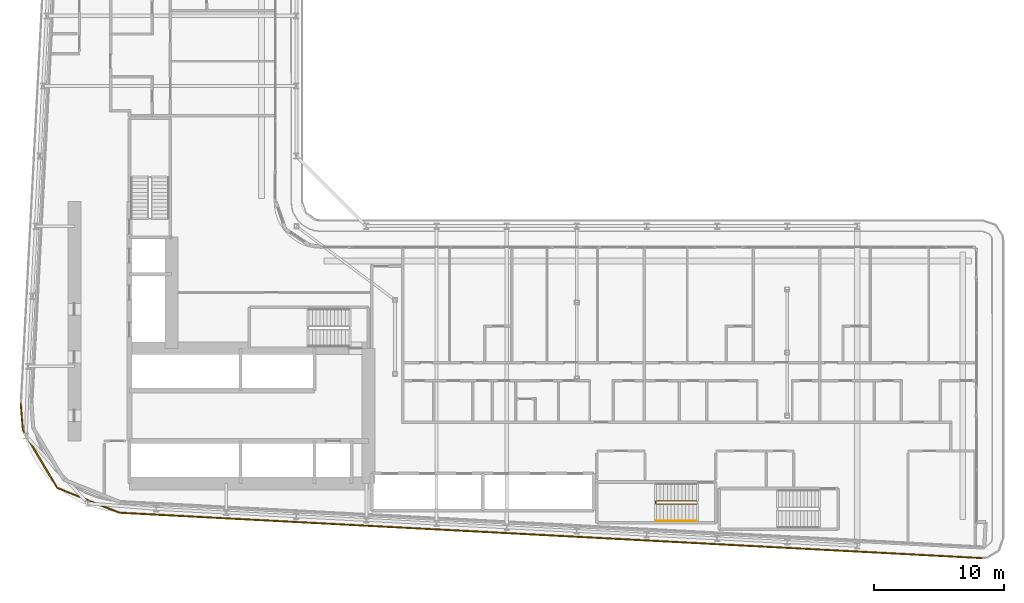
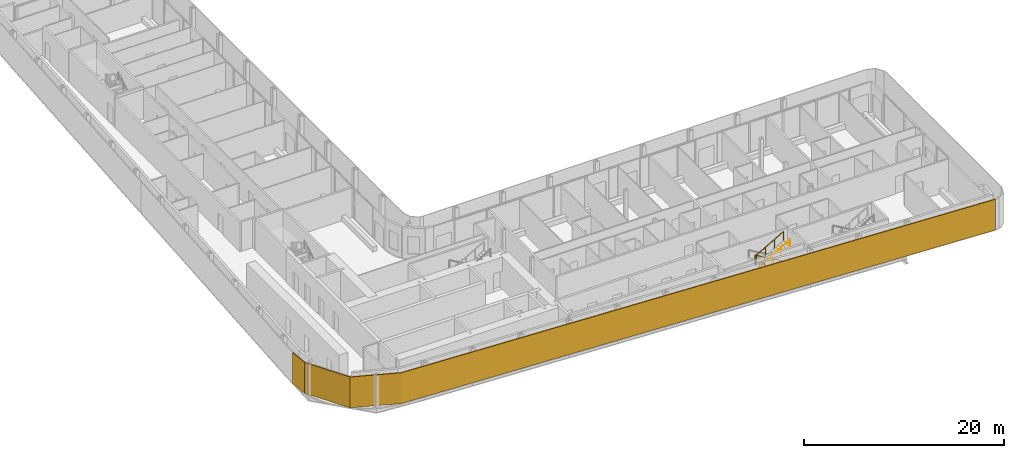
# One storey, part 25 of 29: 2 railings, 1 shading device.
"""IFC4 building model written with IfcOpenShell, lengths in metres."""

from ifc_helpers import new_model, si_unit, direction, frame, origin, origin_2d, place, context, subcontext, project, spatial, polyline, circle, outline, extrude, material, layer, layer_set, type_object, element, save


model = new_model("IFC4")

# Units and contexts
model_context = context("Model", 3, precision=1e-05, world=origin(), true_north=direction((0.0, 1.0)))
body_context = subcontext(model_context, "Body", "Model", "MODEL_VIEW")
ifc_project = project(units=[si_unit("LENGTHUNIT", "METRE"), si_unit("AREAUNIT", "SQUARE_METRE"), si_unit("VOLUMEUNIT", "CUBIC_METRE"), si_unit("PLANEANGLEUNIT", "RADIAN"), si_unit("MASSUNIT", "GRAM", prefix="KILO")], contexts=[model_context])

# Site, building, storey
site_placement = place(None, origin())
site = spatial("IfcSite", under=ifc_project, at=site_placement, CompositionType="ELEMENT")
building_placement = place(site_placement, origin())
building = spatial("IfcBuilding", under=site, at=building_placement, Name="Kheshtan School and Residences Tower", CompositionType="ELEMENT")
storey_placement = place(building_placement, frame((0.0, 0.0, 61.699951171875)))
storey = spatial("IfcBuildingStorey", under=building, at=storey_placement, Name="L14", CompositionType="ELEMENT", Elevation=61.699951171875)

# Shading device
ifc_material_1 = material(Name="Terracotta baguette, extruded ceramic", Category="masonry")
ifc_layer = layer(ifc_material_1, 0.10009765625)
ifc_layer_set = layer_set([ifc_layer], Name="Ledge screen, terracotta baguettes")
shading_device_type = type_object("IfcShadingDeviceType", Name="Ledge screen, terracotta baguettes", PredefinedType="USERDEFINED", material=ifc_layer_set)
shading_device_placement = place(storey_placement, origin())
element("IfcShadingDevice", 1, at=shading_device_placement, inside=storey, type_object=shading_device_type, Name="Screen L14 3", ObjectType="BAGUETTE", PredefinedType="USERDEFINED", context=body_context, shape_type="SweptSolid", body=[
    extrude(outline(polyline([(100.4208984375, 20.0830078125), (33.989013671875, 23.580078125), (29.2119140625, 25.486083984375), (26.583984375, 29.906982421875), (26.419921875, 31.989013671875), (26.320068359375, 31.98095703125), (26.486083984375, 29.8759765625), (29.14306640625, 25.406005859375), (33.967041015625, 23.48095703125), (100.416015625, 19.98291015625), (100.4208984375, 20.0830078125)])), origin(), (0.0, 0.0, 1.0), 3.75),
])

# Railings
ifc_material_2 = material(Name="Stainless steel balustrade", Category="steel")
railing_type_1 = type_object("IfcRailingType", Name="Stair guard 1100", PredefinedType="GUARDRAIL", material=ifc_material_2)
railing_1_placement = place(storey_placement, frame((78.409912109375, 24.449951171875, 0.16259765625)))
element("IfcRailing", 2, at=railing_1_placement, inside=storey, type_object=railing_type_1, Name="L14 ST5 stair guard 1", PredefinedType="GUARDRAIL", context=body_context, shape_type="SweptSolid", body=[
    extrude(circle(Radius=0.02392578125, at=origin_2d()), frame((0.0, 0.0, 1.076171875), z_axis=(-0.864903211148, 0.0, 0.501938676878), x_axis=(0.0, -1.0, 0.0)), (0.0, 0.0, 1.0), 3.560791015625),
    extrude(circle(Radius=0.02392578125, at=origin_2d()), frame((-3.079833984375, 0.0, 2.86328125), z_axis=(-0.707106781187, -0.707106781187, 0.0), x_axis=(0.707106781187, -0.707106781187, 0.0)), (0.0, 0.0, 1.0), 0.07080078125),
    extrude(circle(Radius=0.02392578125, at=origin_2d()), frame((-3.1298828125, -0.050048828125, 2.86328125), z_axis=(0.0, -1.0, 0.0), x_axis=(1.0, 0.0, 0.0)), (0.0, 0.0, 1.0), 0.14990234375),
    extrude(circle(Radius=0.02392578125, at=origin_2d()), frame((-3.1298828125, -0.199951171875, 2.86328125), z_axis=(0.282227285176, -0.282227285176, 0.916894497205), x_axis=(0.707106781187, 0.707106781187, 0.0)), (0.0, 0.0, 1.0), 0.17724609375),
    extrude(circle(Radius=0.02392578125, at=origin_2d()), frame((-3.079833984375, -0.25, 3.02587890625), z_axis=(0.864873446163, 0.0, 0.501989962173), x_axis=(0.0, 1.0, 0.0)), (0.0, 0.0, 1.0), 3.56103515625),
    extrude(circle(Radius=0.02099609375, at=origin_2d()), origin(), (0.0, 0.0, 1.0), 1.052001953125),
    extrude(circle(Radius=0.02099609375, at=origin_2d()), frame((-1.026611328125, 0.0, 0.595703125)), (0.0, 0.0, 1.0), 1.052001953125),
    extrude(circle(Radius=0.02099609375, at=origin_2d()), frame((-2.05322265625, 0.0, 1.191650390625)), (0.0, 0.0, 1.0), 1.052001953125),
    extrude(circle(Radius=0.02099609375, at=origin_2d()), frame((-3.079833984375, 0.0, 1.787353515625)), (0.0, 0.0, 1.0), 1.052001953125),
    extrude(circle(Radius=0.02099609375, at=origin_2d()), frame((-3.1298828125, -0.050048828125, 1.787353515625)), (0.0, 0.0, 1.0), 1.052001953125),
    extrude(circle(Radius=0.02099609375, at=origin_2d()), frame((-3.1298828125, -0.199951171875, 1.787353515625)), (0.0, 0.0, 1.0), 1.052001953125),
    extrude(circle(Radius=0.02099609375, at=origin_2d()), frame((-3.079833984375, -0.25, 1.949951171875)), (0.0, 0.0, 1.0), 1.052001953125),
    extrude(circle(Radius=0.02099609375, at=origin_2d()), frame((-2.05322265625, -0.25, 2.5458984375)), (0.0, 0.0, 1.0), 1.052001953125),
    extrude(circle(Radius=0.02099609375, at=origin_2d()), frame((-1.026611328125, -0.25, 3.1416015625)), (0.0, 0.0, 1.0), 1.052001953125),
    extrude(circle(Radius=0.02099609375, at=origin_2d()), frame((0.0, -0.25, 3.737548828125)), (0.0, 0.0, 1.0), 1.052001953125),
])
ifc_material_3 = material(Name="Stainless steel handrail", Category="steel")
railing_type_2 = type_object("IfcRailingType", Name="Stair handrail 900", PredefinedType="HANDRAIL", material=ifc_material_3)
railing_2_placement = place(storey_placement, frame((75.330078125, 22.89990234375, 2.112548828125)))
element("IfcRailing", 3, at=railing_2_placement, inside=storey, type_object=railing_type_2, Name="L14 ST5 stair handrail 2", PredefinedType="HANDRAIL", context=body_context, shape_type="SweptSolid", body=[
    extrude(circle(Radius=0.02392578125, at=origin_2d()), frame((0.0, 0.0, 0.8759765625), z_axis=(0.864873446163, 0.0, 0.501989962173), x_axis=(0.0, 1.0, 0.0)), (0.0, 0.0, 1.0), 3.56103515625),
    extrude(circle(Radius=0.02099609375, at=origin_2d()), origin(), (0.0, 0.0, 1.0), 0.851806640625),
    extrude(circle(Radius=0.02099609375, at=origin_2d()), frame((1.026611328125, 0.0, 0.595947265625)), (0.0, 0.0, 1.0), 0.851806640625),
    extrude(circle(Radius=0.02099609375, at=origin_2d()), frame((2.05322265625, 0.0, 1.191650390625)), (0.0, 0.0, 1.0), 0.851806640625),
    extrude(circle(Radius=0.02099609375, at=origin_2d()), frame((3.079833984375, 0.0, 1.78759765625)), (0.0, 0.0, 1.0), 0.851806640625),
])

save(model, "model.ifc")
